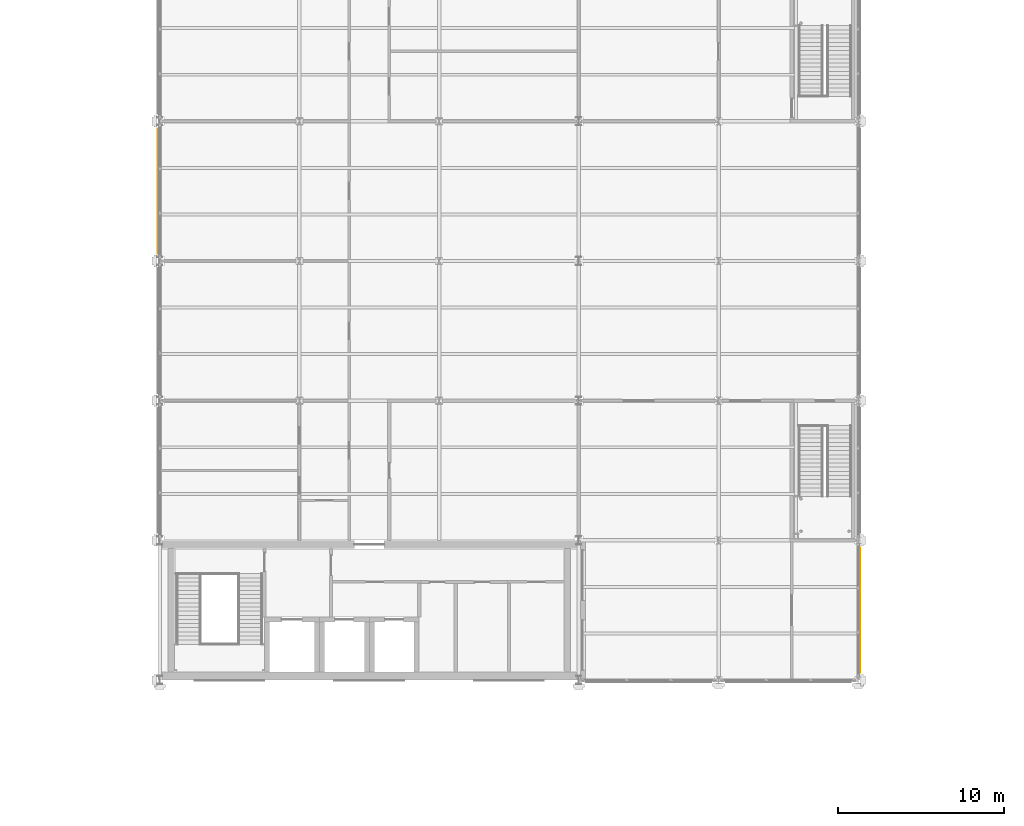
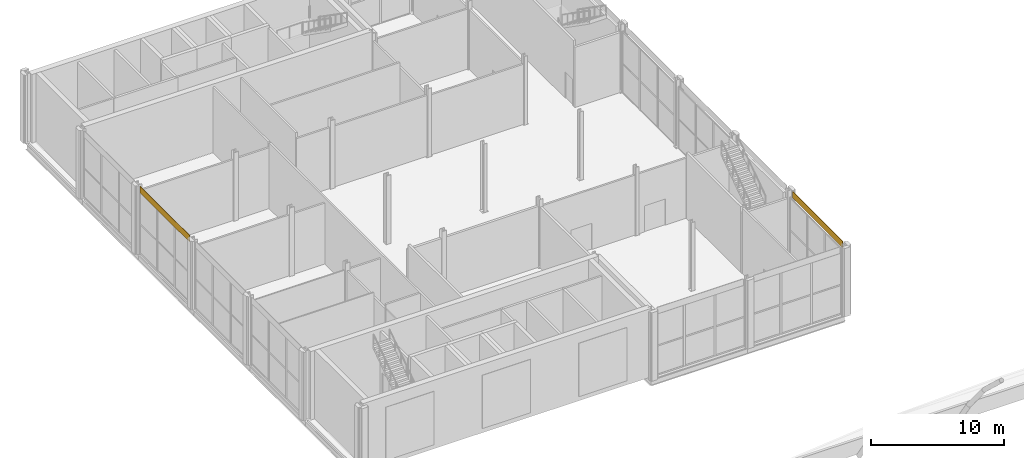
# One storey, part 73 of 77: 2 coverings.
"""IFC4 building model written with IfcOpenShell, lengths in metres."""

from ifc_helpers import new_model, si_unit, direction, frame, origin, origin_2d, place, context, subcontext, project, spatial, rectangle, extrude, material, layer, layer_set, type_object, element, save


model = new_model("IFC4")

# Units and contexts
model_context = context("Model", 3, precision=1e-05, world=origin(), true_north=direction((0.0, 1.0)))
body_context = subcontext(model_context, "Body", "Model", "MODEL_VIEW")
ifc_project = project(units=[si_unit("LENGTHUNIT", "METRE"), si_unit("AREAUNIT", "SQUARE_METRE"), si_unit("VOLUMEUNIT", "CUBIC_METRE"), si_unit("PLANEANGLEUNIT", "RADIAN"), si_unit("MASSUNIT", "GRAM", prefix="KILO")], contexts=[model_context])

# Site, building, storey
site_placement = place(None, origin())
site = spatial("IfcSite", under=ifc_project, at=site_placement, CompositionType="ELEMENT")
building_placement = place(site_placement, origin())
building = spatial("IfcBuilding", under=site, at=building_placement, Name="Catenary Quay Ferry Terminal", CompositionType="ELEMENT")
storey_placement = place(building_placement, frame((0.0, 0.0, 10.800048828125)))
storey = spatial("IfcBuildingStorey", under=building, at=storey_placement, Name="L02", CompositionType="ELEMENT", Elevation=10.800048828125)

# Coverings
ifc_material = material(Name="Glazed ceramic tile, ochre")
ifc_layer = layer(ifc_material, 0.030029296875)
ifc_layer_set = layer_set([ifc_layer], Name="CL6")
covering_type = type_object("IfcCoveringType", Name="CL6", PredefinedType="CLADDING", material=ifc_layer_set)
for number, where, z_axis, x_axis, name in (
    (1, (67.3193359375, 163.800048828125, 5.699951171875), (0.0, 0.0, 1.0), (1.0, 0.0, 0.0), "Band wing v67.2 cladding CV326"),
    (2, (25.090087890625, 189.0, 5.699951171875), (0.0, 0.0, 1.0), (1.0, 0.0, 0.0), "Band wing v25.2 cladding CV339"),
):
    element("IfcCovering", number, at=place(storey_placement, frame(where, z_axis=z_axis, x_axis=x_axis)), inside=storey, type_object=covering_type, Name=name, PredefinedType="CLADDING", context=body_context, shape_type="SweptSolid", body=[
        extrude(rectangle(XDim=0.030029296875, YDim=7.5, at=origin_2d()), origin(), (0.0, 0.0, 1.0), 0.60009765625),
    ])

save(model, "model.ifc")
